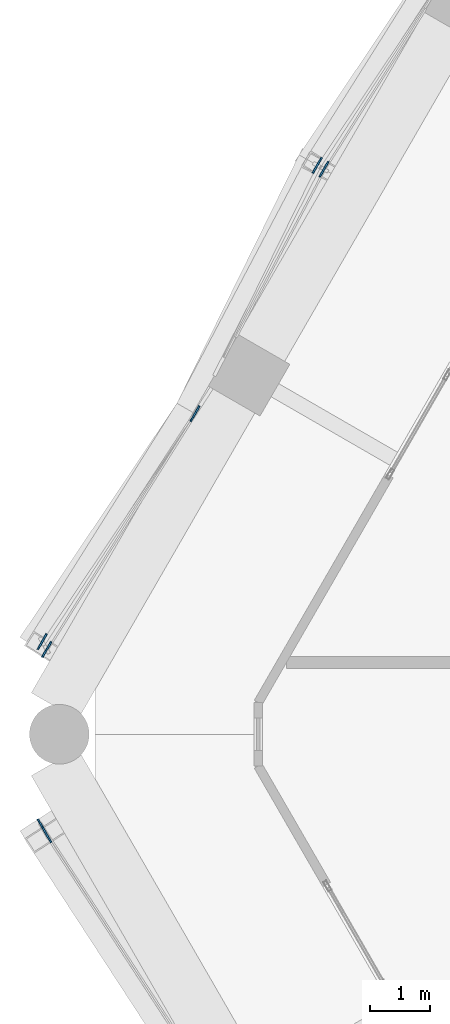
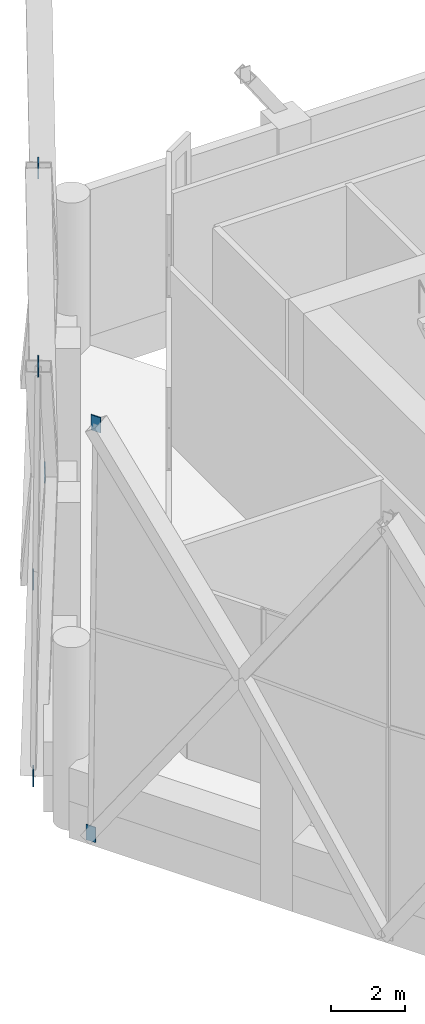
# One storey, part 40 of 43: 7 discrete accessories.
"""IFC4 building model written with IfcOpenShell, lengths in metres."""

import ifcopenshell
import ifcopenshell.guid

model = None  # the IFC model being written
_history = None  # IfcOwnerHistory: only IFC2X3 demands one
_inside = {}  # id of a spatial element -> (the spatial element, [elements in it])
_under = {}  # id of a project, library or spatial element -> (it, [spatial elements below it])
_declared = {}  # id of a project -> (the project, [libraries it declares])
_typed = {}  # id of a type object -> (the type object, [elements of that type])
_made_of = {}  # id of a material, layer set ... -> (it, [elements and type objects made of it])


def new_model(schema):
    """Start an empty IFC model of exactly this schema.

    Asked for "IFC4X3", IfcOpenShell would pick the latest addendum, in which some entities
    have other attributes; the version numbers below select the first issue.
    IFC2X3 requires an IfcOwnerHistory on every rooted entity: one is made here for all.
    """
    global model, _history
    if schema == "IFC4X3":
        model = ifcopenshell.file(schema_version=(4, 3, 0, 0))
    else:
        model = ifcopenshell.file(schema=schema)
    _inside.clear()
    _under.clear()
    _declared.clear()
    _typed.clear()
    _made_of.clear()
    _history = None
    if model.schema == "IFC2X3":
        org = make("IfcOrganization", Name="unknown")
        user = make(
            "IfcPersonAndOrganization",
            ThePerson=make("IfcPerson", FamilyName="unknown"),
            TheOrganization=org,
        )
        app = make(
            "IfcApplication",
            ApplicationDeveloper=org,
            Version="unknown",
            ApplicationFullName="unknown",
            ApplicationIdentifier="unknown",
        )
        _history = make(
            "IfcOwnerHistory",
            OwningUser=user,
            OwningApplication=app,
            ChangeAction="ADDED",
            CreationDate=0,
        )
    return model


def make(cls, **values):
    """One entity of the class cls with the attributes given. An attribute that is None is left unset."""
    return model.create_entity(
        cls, **{name: value for name, value in values.items() if value is not None}
    )


def rooted(cls, **values):
    """An entity with a GlobalId (a new one), such as an element, a storey or a relation."""
    return make(cls, GlobalId=ifcopenshell.guid.new(), OwnerHistory=_history, **values)


def si_unit(unit_type, name, prefix=None):
    """IfcSIUnit, for example si_unit("LENGTHUNIT", "METRE", prefix="MILLI")."""
    return make("IfcSIUnit", UnitType=unit_type, Prefix=prefix, Name=name)


def assignment(units):
    """IfcUnitAssignment: the units of a project."""
    return None if units is None else make("IfcUnitAssignment", Units=units)


def point(xyz):
    """IfcCartesianPoint."""
    return None if xyz is None else make("IfcCartesianPoint", Coordinates=xyz)


def direction(xyz):
    """IfcDirection."""
    return None if xyz is None else make("IfcDirection", DirectionRatios=xyz)


def frame(location, z_axis=None, x_axis=None):
    """IfcAxis2Placement3D, a coordinate frame: its origin and axes. An axis left out is left unset."""
    return make(
        "IfcAxis2Placement3D",
        Location=point(location),
        Axis=direction(z_axis),
        RefDirection=direction(x_axis),
    )


def frame_2d(location, x_axis=None):
    """IfcAxis2Placement2D, a coordinate frame in the plane: its origin and x axis."""
    return make(
        "IfcAxis2Placement2D", Location=point(location), RefDirection=direction(x_axis)
    )


def origin():
    """The frame at (0, 0, 0) with its axes left unset."""
    return frame((0.0, 0.0, 0.0))


def origin_2d():
    """The frame at (0, 0) in the plane with its x axis left unset."""
    return frame_2d((0.0, 0.0))


def place(relative_to, where):
    """IfcLocalPlacement: puts the frame where relative to a parent placement (None: the world)."""
    return make(
        "IfcLocalPlacement", PlacementRelTo=relative_to, RelativePlacement=where
    )


def context(
    kind, dimensions, precision=None, world=None, true_north=None, identifier=None
):
    """IfcGeometricRepresentationContext, for example the 3D "Model" context."""
    return make(
        "IfcGeometricRepresentationContext",
        ContextIdentifier=identifier,
        ContextType=kind,
        CoordinateSpaceDimension=dimensions,
        Precision=precision,
        WorldCoordinateSystem=world,
        TrueNorth=true_north,
    )


def subcontext(parent, identifier, kind, view, scale=None):
    """IfcGeometricRepresentationSubContext, for example "Body" below "Model"."""
    return make(
        "IfcGeometricRepresentationSubContext",
        ContextIdentifier=identifier,
        ContextType=kind,
        ParentContext=parent,
        TargetScale=scale,
        TargetView=view,
    )


def project(units=None, contexts=None):
    """IfcProject with its units and contexts."""
    return rooted(
        "IfcProject",
        Name="project",
        RepresentationContexts=contexts,
        UnitsInContext=assignment(units),
    )


def spatial(cls, under=None, at=None, **own):
    """A site, building, storey or space (cls), placed at a placement, below another one or the project."""
    s = rooted(cls, ObjectPlacement=at, **own)
    if under is not None:
        _under.setdefault(under.id(), (under, []))[1].append(s)
    return s


def profile(cls, at=None, kind="AREA", **sizes):
    """A parametric profile (cls). Its sizes go by their IFC names, for example OverallWidth=200.0."""
    return make(cls, ProfileType=kind, Position=at, **sizes)


def rectangle(**sizes):
    """IfcRectangleProfileDef."""
    return profile("IfcRectangleProfileDef", **sizes)


def extrude(swept, where, along, depth):
    """IfcExtrudedAreaSolid: the profile swept, set in the frame where, extruded along a direction by depth."""
    return make(
        "IfcExtrudedAreaSolid",
        SweptArea=swept,
        Position=where,
        ExtrudedDirection=direction(along),
        Depth=depth,
    )


def shape(context_of_items, identifier, shape_type, items):
    """IfcShapeRepresentation: the items that make up one representation, for example the "Body"."""
    return make(
        "IfcShapeRepresentation",
        ContextOfItems=context_of_items,
        RepresentationIdentifier=identifier,
        RepresentationType=shape_type,
        Items=items,
    )


def material(Name=None, Category=None):
    """IfcMaterial."""
    return make("IfcMaterial", Name=Name, Category=Category)


def layer(
    of_material, thickness, ventilated=None, Name=None, Category=None, Priority=None
):
    """IfcMaterialLayer: one layer of a wall or slab, of a material (None: an air gap)."""
    return make(
        "IfcMaterialLayer",
        Material=of_material,
        LayerThickness=thickness,
        IsVentilated=ventilated,
        Name=Name,
        Category=Category,
        Priority=Priority,
    )


def layer_set(layers, Name=None):
    """IfcMaterialLayerSet."""
    return make("IfcMaterialLayerSet", MaterialLayers=layers, LayerSetName=Name)


def made_of(thing, what):
    """Note that an element or type object is made of a material, layer set ...; save() writes the relation."""
    if what is not None:
        _made_of.setdefault(what.id(), (what, []))[1].append(thing)
    return thing


def type_object(cls, material=None, **own):
    """A type object (cls), such as IfcWallType, which elements share."""
    return made_of(rooted(cls, **own), material)


def element(
    cls,
    number,
    at=None,
    inside=None,
    cuts=None,
    type_object=None,
    material=None,
    context=None,
    identifier="Body",
    shape_type=None,
    held_by="IfcProductDefinitionShape",
    body=None,
    shapes=None,
    **own,
):
    """One element of the class cls, such as IfcWall. Its Tag is "e" and its number.

    at: its placement. inside: the storey or other place that contains it. cuts: it is an
    opening in that element (IfcRelVoidsElement). A single representation is given by context,
    identifier, shape_type and body (its items); several are given by shapes. held_by: the class
    of the entity that holds the representations. save() writes the other relations.
    """
    e = rooted(cls, Tag="e%d" % number, ObjectPlacement=at, **own)
    if body is not None:
        shapes = [shape(context, identifier, shape_type, body)]
    if shapes is not None:
        e.Representation = make(held_by, Representations=shapes)
    if inside is not None:
        _inside.setdefault(inside.id(), (inside, []))[1].append(e)
    if cuts is not None:
        rooted(
            "IfcRelVoidsElement", RelatingBuildingElement=cuts, RelatedOpeningElement=e
        )
    if type_object is not None:
        _typed.setdefault(type_object.id(), (type_object, []))[1].append(e)
    return made_of(e, material)


def aggregate(whole, parts):
    """IfcRelAggregates: a whole, such as a stair, and the parts it consists of."""
    return rooted("IfcRelAggregates", RelatingObject=whole, RelatedObjects=parts)


def save(model, path):
    """Write the relations noted so far, then the file.

    IfcRelAggregates (storeys below a building ...), IfcRelContainedInSpatialStructure (elements
    in a storey), IfcRelDefinesByType, IfcRelAssociatesMaterial and IfcRelDeclares: one each for
    every whole, place, type object, material and project.
    """
    for whole, parts in _under.values():
        aggregate(whole, parts)
    for where, things in _inside.values():
        rooted(
            "IfcRelContainedInSpatialStructure",
            RelatedElements=things,
            RelatingStructure=where,
        )
    for kind, things in _typed.values():
        rooted("IfcRelDefinesByType", RelatedObjects=things, RelatingType=kind)
    for what, things in _made_of.values():
        rooted("IfcRelAssociatesMaterial", RelatedObjects=things, RelatingMaterial=what)
    for by, libraries in _declared.values():
        rooted("IfcRelDeclares", RelatingContext=by, RelatedDefinitions=libraries)
    model.write(path)


model = new_model("IFC4")

# Units and contexts
model_context = context("Model", 3, precision=1e-05, world=origin(), true_north=direction((0.0, 1.0)))
body_context = subcontext(model_context, "Body", "Model", "MODEL_VIEW")
ifc_project = project(units=[si_unit("LENGTHUNIT", "METRE"), si_unit("AREAUNIT", "SQUARE_METRE"), si_unit("VOLUMEUNIT", "CUBIC_METRE"), si_unit("PLANEANGLEUNIT", "RADIAN"), si_unit("MASSUNIT", "GRAM", prefix="KILO")], contexts=[model_context])

# Site, building, storey
site_placement = place(None, origin())
site = spatial("IfcSite", under=ifc_project, at=site_placement, CompositionType="ELEMENT")
building_placement = place(site_placement, origin())
building = spatial("IfcBuilding", under=site, at=building_placement, Name="Ostrander Bayou Hotel Tower", CompositionType="ELEMENT")
storey_placement = place(building_placement, frame((0.0, 0.0, 151.0)))
storey = spatial("IfcBuildingStorey", under=building, at=storey_placement, Name="L37", CompositionType="ELEMENT", Elevation=151.0)

# Discrete accessories
ifc_material = material(Name="Steel ASTM A572 Gr 50", Category="steel")
ifc_layer = layer(ifc_material, 0.030029296875)
ifc_layer_set = layer_set([ifc_layer], Name="GP1 gusset plate 30 mm")
discrete_accessory_type = type_object("IfcDiscreteAccessoryType", Name="GP1 gusset plate 30 mm", PredefinedType="BRACKET", material=ifc_layer_set)
for number, where, z_axis, x_axis, name in (
    (1, (-16.51513671875, 9.534912109375, -0.85009765625), (0.0, 0.0, 1.0), (-0.5, -0.866025403784, 0.0), "GP1 gusset plate lat 214"),
    (2, (-16.401611328125, 9.469482421875, 12.64990234375), (0.0, 0.0, 1.0), (-0.5, -0.866025403784, 0.0), "GP1 gusset plate lat 215"),
    (3, (-18.563232421875, 5.373291015625, 5.89990234375), (0.0, 0.0, 1.0), (-0.5, -0.866025403784, 0.0), "GP1 gusset plate lat 216"),
    (4, (-21.12451171875, 1.551513671875, -0.85009765625), (0.0, 0.0, 1.0), (-0.5, -0.866025403784, 0.0), "GP1 gusset plate lat 217"),
    (5, (-21.048828125, 1.420654296875, 12.64990234375), (0.0, 0.0, 1.0), (-0.5, -0.866025403784, 0.0), "GP1 gusset plate lat 218"),
    (6, (-21.12451171875, -1.551513671875, -0.85009765625), (0.0, 0.0, 1.0), (0.5, -0.866025403784, 0.0), "GP1 gusset plate lat 220"),
    (7, (-21.048828125, -1.682373046875, 12.64990234375), (0.0, 0.0, 1.0), (0.5, -0.866025403784, 0.0), "GP1 gusset plate lat 221"),
):
    element("IfcDiscreteAccessory", number, at=place(storey_placement, frame(where, z_axis=z_axis, x_axis=x_axis)), inside=storey, type_object=discrete_accessory_type, Name=name, PredefinedType="BRACKET", context=body_context, shape_type="SweptSolid", body=[
        extrude(rectangle(XDim=0.300048828125, YDim=0.030029296875, at=origin_2d()), origin(), (0.0, 0.0, 1.0), 0.5),
    ])

save(model, "model.ifc")
